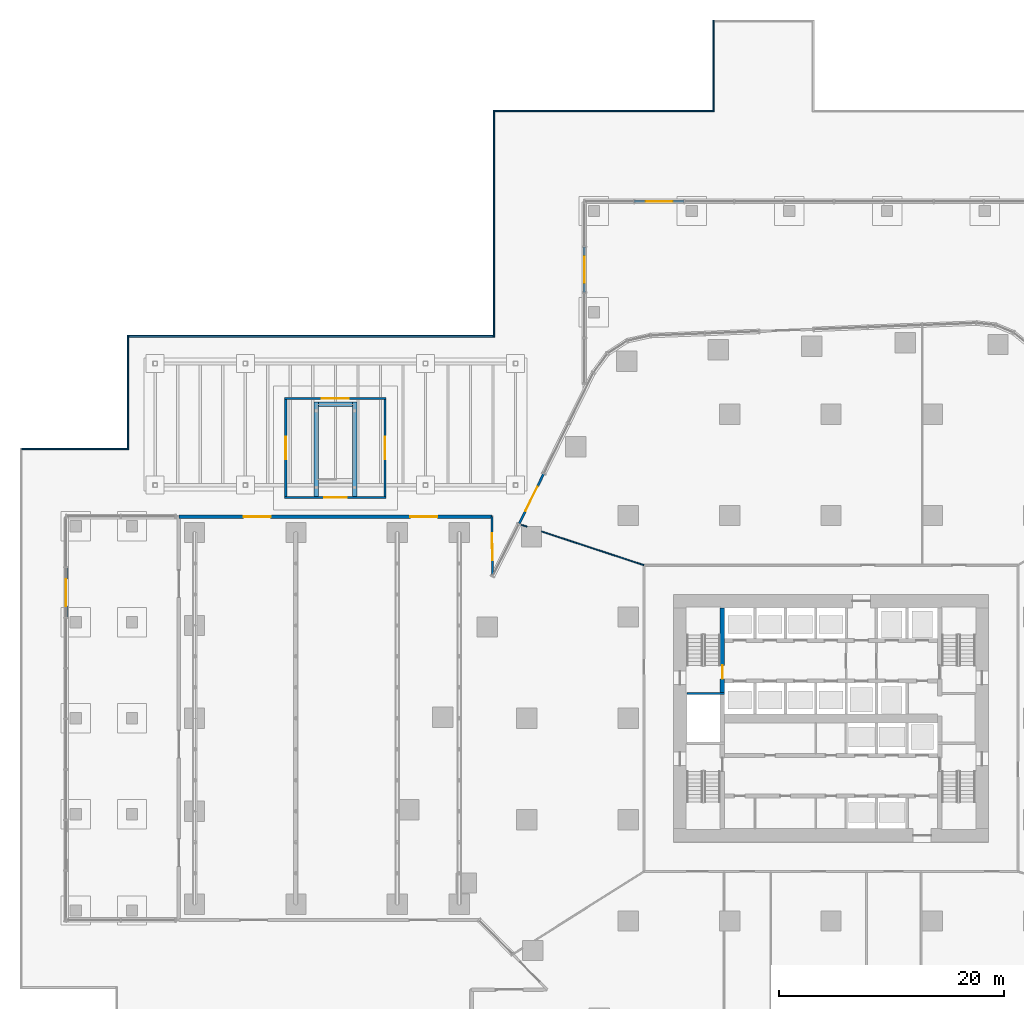
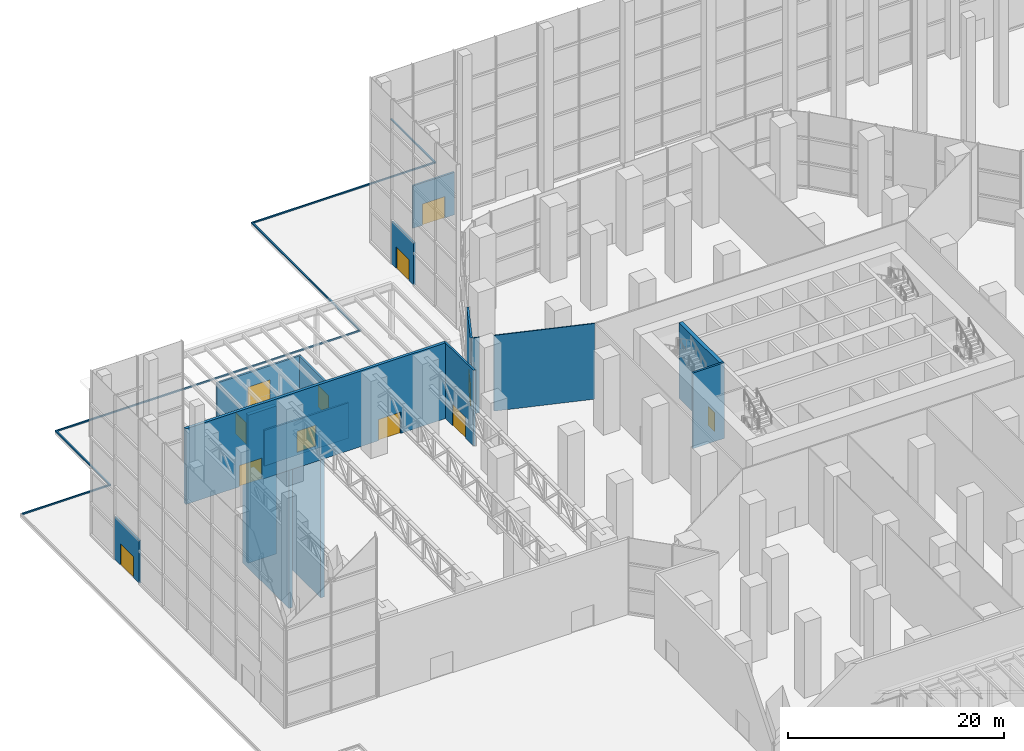
# One storey, part 32 of 40: 23 walls, 9 doors, 3 windows, 12 openings.
"""IFC4 building model written with IfcOpenShell, lengths in metres."""

from ifc_helpers import new_model, si_unit, direction, frame, frame_2d, origin, place, context, subcontext, project, spatial, rectangle, extrude, material, layer, layer_set, type_object, element, fill, save


model = new_model("IFC4")

# Units and contexts
model_context = context("Model", 3, precision=1e-05, world=origin(), true_north=direction((0.0, 1.0)))
body_context = subcontext(model_context, "Body", "Model", "MODEL_VIEW")
ifc_project = project(units=[si_unit("LENGTHUNIT", "METRE"), si_unit("AREAUNIT", "SQUARE_METRE"), si_unit("VOLUMEUNIT", "CUBIC_METRE"), si_unit("PLANEANGLEUNIT", "RADIAN"), si_unit("MASSUNIT", "GRAM", prefix="KILO")], contexts=[model_context])

# Site, building, storey
site_placement = place(None, origin())
site = spatial("IfcSite", under=ifc_project, at=site_placement, CompositionType="ELEMENT")
building_placement = place(site_placement, origin())
building = spatial("IfcBuilding", under=site, at=building_placement, Name="Dongbaek Canopy Tower", CompositionType="ELEMENT")
storey_placement = place(building_placement, origin())
storey = spatial("IfcBuildingStorey", under=building, at=storey_placement, Name="L00", CompositionType="ELEMENT", Elevation=0.0)

# Wall, opening, door
ifc_material_1 = material(Name="Aluminium window wall", Category="aluminium")
ifc_layer_1 = layer(ifc_material_1, 0.199951171875)
ifc_layer_set_1 = layer_set([ifc_layer_1], Name="Entrance wall 200")
wall_type_1 = type_object("IfcWallType", Name="Entrance wall 200", PredefinedType="SOLIDWALL", material=ifc_layer_set_1)
wall_1_placement = place(storey_placement, frame((-27.705078125, 17.242431640625, 0.0), z_axis=(0.0, 0.0, 1.0), x_axis=(0.441360289586, 0.897329980986, 0.0)))
wall_1 = element("IfcWall", 1, at=wall_1_placement, inside=storey, type_object=wall_type_1, Name="Entrance wall L00 F7 3", PredefinedType="SOLIDWALL", context=body_context, shape_type="SweptSolid", body=[
    extrude(rectangle(XDim=4.99658203125, YDim=0.199951171875, at=frame_2d((2.498291015625, 0.0))), origin(), (0.0, 0.0, 1.0), 8.550048828125),
])
opening_1_placement = place(wall_1_placement, frame((1.29833984375, 0.0, 0.0)))
opening_1 = element("IfcOpeningElement", 2, at=opening_1_placement, cuts=wall_1, Name="Opening L00-E05", PredefinedType="OPENING", context=body_context, shape_type="SweptSolid", body=[
    extrude(rectangle(XDim=2.39990234375, YDim=2.39990234375, at=frame_2d((1.199951171875, 1.199951171875))), frame((0.0, 0.10986328125, 0.0), z_axis=(0.0, -1.0, 0.0), x_axis=(1.0, 0.0, 0.0)), (0.0, 0.0, 1.0), 0.219970703125),
])
ifc_material_2 = material(Name="Clear glazing in aluminium frame", Category="aluminium")
door_type_1 = type_object("IfcDoorType", Name="Entrance door ED1 2400 x 2400", OperationType="DOUBLE_DOOR_SINGLE_SWING", PredefinedType="DOOR", material=ifc_material_2)
door_1_placement = place(opening_1_placement, origin())
door_1 = element("IfcDoor", 3, at=door_1_placement, inside=storey, type_object=door_type_1, Name="Exterior door L00-E05", OperationType="SINGLE_SWING_LEFT", OverallHeight=2.39990234375, OverallWidth=2.39990234375, PredefinedType="DOOR", context=body_context, shape_type="SweptSolid", body=[
    extrude(rectangle(XDim=2.39990234375, YDim=2.39990234375, at=frame_2d((1.199951171875, 1.199951171875))), frame((0.0, 0.02490234375, 0.0), z_axis=(0.0, -1.0, 0.0), x_axis=(1.0, 0.0, 0.0)), (0.0, 0.0, 1.0), 0.050048828125),
])
fill(opening_1, door_1)

wall_2_placement = place(storey_placement, frame((-30.10009765625, 17.89990234375, 0.0), z_axis=(0.0, 0.0, 1.0), x_axis=(0.01033393491, -0.999946603469, 0.0)))
wall_2 = element("IfcWall", 4, at=wall_2_placement, inside=storey, type_object=wall_type_1, Name="Entrance wall L00 F8 1", PredefinedType="SOLIDWALL", context=body_context, shape_type="SweptSolid", body=[
    extrude(rectangle(XDim=5.2919921875, YDim=0.199951171875, at=frame_2d((2.64599609375, 0.0))), origin(), (0.0, 0.0, 1.0), 8.550048828125),
])
opening_2_placement = place(wall_2_placement, frame((1.446044921875, 0.0, 0.0)))
opening_2 = element("IfcOpeningElement", 5, at=opening_2_placement, cuts=wall_2, Name="Opening L00-E06", PredefinedType="OPENING", context=body_context, shape_type="SweptSolid", body=[
    extrude(rectangle(XDim=2.39990234375, YDim=2.39990234375, at=frame_2d((1.199951171875, 1.199951171875))), frame((0.0, 0.10986328125, 0.0), z_axis=(0.0, -1.0, 0.0), x_axis=(1.0, 0.0, 0.0)), (0.0, 0.0, 1.0), 0.219970703125),
])
door_2_placement = place(opening_2_placement, origin())
door_2 = element("IfcDoor", 6, at=door_2_placement, inside=storey, type_object=door_type_1, Name="Exterior door L00-E06", OperationType="SINGLE_SWING_LEFT", OverallHeight=2.39990234375, OverallWidth=2.39990234375, PredefinedType="DOOR", context=body_context, shape_type="SweptSolid", body=[
    extrude(rectangle(XDim=2.39990234375, YDim=2.39990234375, at=frame_2d((1.199951171875, 1.199951171875))), frame((0.0, 0.02490234375, 0.0), z_axis=(0.0, -1.0, 0.0), x_axis=(1.0, 0.0, 0.0)), (0.0, 0.0, 1.0), 0.050048828125),
])
fill(opening_2, door_2)

# Wall, opening, window
wall_3_placement = place(storey_placement, frame((-48.5, 19.60009765625, 0.0), z_axis=(0.0, 0.0, 1.0), x_axis=(1.0, 0.0, 0.0)))
wall_3 = element("IfcWall", 7, at=wall_3_placement, inside=storey, type_object=wall_type_1, Name="Metro entrance B S wall", PredefinedType="SOLIDWALL", context=body_context, shape_type="SweptSolid", body=[
    extrude(rectangle(XDim=9.0, YDim=0.199951171875, at=frame_2d((4.5, 0.0))), origin(), (0.0, 0.0, 1.0), 4.0),
])
opening_3_placement = place(wall_3_placement, frame((3.5, 0.0, 0.300048828125)))
opening_3 = element("IfcOpeningElement", 8, at=opening_3_placement, cuts=wall_3, Name="Opening PW1", PredefinedType="OPENING", context=body_context, shape_type="SweptSolid", body=[
    extrude(rectangle(XDim=2.0, YDim=2.39990234375, at=frame_2d((1.0, 1.199951171875))), frame((0.0, 0.10986328125, 0.0), z_axis=(0.0, -1.0, 0.0), x_axis=(1.0, 0.0, 0.0)), (0.0, 0.0, 1.0), 0.219970703125),
])
ifc_material_3 = material(Name="Clear glazing in aluminium frame", Category="aluminium")
window_type = type_object("IfcWindowType", Name="Pavilion window PW1 2000 x 2400", PartitioningType="SINGLE_PANEL", PredefinedType="WINDOW", material=ifc_material_3)
window_1_placement = place(opening_3_placement, origin())
window_1 = element("IfcWindow", 9, at=window_1_placement, inside=storey, type_object=window_type, Name="Metro entrance B window S", OverallHeight=2.39990234375, OverallWidth=2.0, PartitioningType="SINGLE_PANEL", PredefinedType="WINDOW", context=body_context, shape_type="SweptSolid", body=[
    extrude(rectangle(XDim=2.0, YDim=2.39990234375, at=frame_2d((1.0, 1.199951171875))), frame((0.0, 0.030029296875, 0.0), z_axis=(0.0, -1.0, 0.0), x_axis=(1.0, 0.0, 0.0)), (0.0, 0.0, 1.0), 0.06005859375),
])
fill(opening_3, window_1)

# Wall, opening, door
wall_4_placement = place(storey_placement, frame((-48.5, 28.39990234375, 0.0), z_axis=(0.0, 0.0, 1.0), x_axis=(1.0, 0.0, 0.0)))
wall_4 = element("IfcWall", 10, at=wall_4_placement, inside=storey, type_object=wall_type_1, Name="Metro entrance B N wall", PredefinedType="SOLIDWALL", context=body_context, shape_type="SweptSolid", body=[
    extrude(rectangle(XDim=9.0, YDim=0.199951171875, at=frame_2d((4.5, 0.0))), origin(), (0.0, 0.0, 1.0), 4.0),
])
opening_4_placement = place(wall_4_placement, frame((3.300048828125, 0.0, 0.0)))
opening_4 = element("IfcOpeningElement", 11, at=opening_4_placement, cuts=wall_4, Name="Opening L00-M02", PredefinedType="OPENING", context=body_context, shape_type="SweptSolid", body=[
    extrude(rectangle(XDim=2.39990234375, YDim=2.39990234375, at=frame_2d((1.199951171875, 1.199951171875))), frame((0.0, 0.10986328125, 0.0), z_axis=(0.0, -1.0, 0.0), x_axis=(1.0, 0.0, 0.0)), (0.0, 0.0, 1.0), 0.219970703125),
])
door_3_placement = place(opening_4_placement, origin())
door_3 = element("IfcDoor", 12, at=door_3_placement, inside=storey, type_object=door_type_1, Name="Exterior door L00-M02", OperationType="SINGLE_SWING_LEFT", OverallHeight=2.39990234375, OverallWidth=2.39990234375, PredefinedType="DOOR", context=body_context, shape_type="SweptSolid", body=[
    extrude(rectangle(XDim=2.39990234375, YDim=2.39990234375, at=frame_2d((1.199951171875, 1.199951171875))), frame((0.0, 0.02490234375, 0.0), z_axis=(0.0, -1.0, 0.0), x_axis=(1.0, 0.0, 0.0)), (0.0, 0.0, 1.0), 0.050048828125),
])
fill(opening_4, door_3)

# Wall, opening, window
wall_5_placement = place(storey_placement, frame((-48.39990234375, 19.699951171875, 0.0), z_axis=(0.0, 0.0, 1.0), x_axis=(0.0, 1.0, 0.0)))
wall_5 = element("IfcWall", 13, at=wall_5_placement, inside=storey, type_object=wall_type_1, Name="Metro entrance B W wall", PredefinedType="SOLIDWALL", context=body_context, shape_type="SweptSolid", body=[
    extrude(rectangle(XDim=8.60009765625, YDim=0.199951171875, at=frame_2d((4.300048828125, 0.0))), origin(), (0.0, 0.0, 1.0), 4.0),
])
opening_5_placement = place(wall_5_placement, frame((3.300048828125, 0.0, 0.300048828125)))
opening_5 = element("IfcOpeningElement", 14, at=opening_5_placement, cuts=wall_5, Name="Opening PW1", PredefinedType="OPENING", context=body_context, shape_type="SweptSolid", body=[
    extrude(rectangle(XDim=2.0, YDim=2.39990234375, at=frame_2d((1.0, 1.199951171875))), frame((0.0, 0.10986328125, 0.0), z_axis=(0.0, -1.0, 0.0), x_axis=(1.0, 0.0, 0.0)), (0.0, 0.0, 1.0), 0.219970703125),
])
window_2_placement = place(opening_5_placement, origin())
window_2 = element("IfcWindow", 15, at=window_2_placement, inside=storey, type_object=window_type, Name="Metro entrance B window W", OverallHeight=2.39990234375, OverallWidth=2.0, PartitioningType="SINGLE_PANEL", PredefinedType="WINDOW", context=body_context, shape_type="SweptSolid", body=[
    extrude(rectangle(XDim=2.0, YDim=2.39990234375, at=frame_2d((1.0, 1.199951171875))), frame((0.0, 0.030029296875, 0.0), z_axis=(0.0, -1.0, 0.0), x_axis=(1.0, 0.0, 0.0)), (0.0, 0.0, 1.0), 0.06005859375),
])
fill(opening_5, window_2)

wall_6_placement = place(storey_placement, frame((-39.60009765625, 19.699951171875, 0.0), z_axis=(0.0, 0.0, 1.0), x_axis=(0.0, 1.0, 0.0)))
wall_6 = element("IfcWall", 16, at=wall_6_placement, inside=storey, type_object=wall_type_1, Name="Metro entrance B E wall", PredefinedType="SOLIDWALL", context=body_context, shape_type="SweptSolid", body=[
    extrude(rectangle(XDim=8.60009765625, YDim=0.199951171875, at=frame_2d((4.300048828125, 0.0))), origin(), (0.0, 0.0, 1.0), 4.0),
])
opening_6_placement = place(wall_6_placement, frame((3.300048828125, 0.0, 0.300048828125)))
opening_6 = element("IfcOpeningElement", 17, at=opening_6_placement, cuts=wall_6, Name="Opening PW1", PredefinedType="OPENING", context=body_context, shape_type="SweptSolid", body=[
    extrude(rectangle(XDim=2.0, YDim=2.39990234375, at=frame_2d((1.0, 1.199951171875))), frame((0.0, 0.10986328125, 0.0), z_axis=(0.0, -1.0, 0.0), x_axis=(1.0, 0.0, 0.0)), (0.0, 0.0, 1.0), 0.219970703125),
])
window_3_placement = place(opening_6_placement, origin())
window_3 = element("IfcWindow", 18, at=window_3_placement, inside=storey, type_object=window_type, Name="Metro entrance B window E", OverallHeight=2.39990234375, OverallWidth=2.0, PartitioningType="SINGLE_PANEL", PredefinedType="WINDOW", context=body_context, shape_type="SweptSolid", body=[
    extrude(rectangle(XDim=2.0, YDim=2.39990234375, at=frame_2d((1.0, 1.199951171875))), frame((0.0, 0.030029296875, 0.0), z_axis=(0.0, -1.0, 0.0), x_axis=(1.0, 0.0, 0.0)), (0.0, 0.0, 1.0), 0.06005859375),
])
fill(opening_6, window_3)

# Wall, opening, door
wall_7_placement = place(storey_placement, frame((-17.466552734375, 45.89990234375, 0.0), z_axis=(0.0, 0.0, 1.0), x_axis=(1.0, 0.0, 0.0)))
wall_7 = element("IfcWall", 19, at=wall_7_placement, inside=storey, type_object=wall_type_1, Name="Entrance wall L00 NN.17", PredefinedType="SOLIDWALL", context=body_context, shape_type="SweptSolid", body=[
    extrude(rectangle(XDim=4.43310546875, YDim=0.199951171875, at=frame_2d((2.216552734375, 0.0))), origin(), (0.0, 0.0, 1.0), 4.800048828125),
])
opening_7_placement = place(wall_7_placement, frame((1.0166015625, 0.0, 0.0)))
opening_7 = element("IfcOpeningElement", 20, at=opening_7_placement, cuts=wall_7, Name="Opening L00-P06", PredefinedType="OPENING", context=body_context, shape_type="SweptSolid", body=[
    extrude(rectangle(XDim=2.39990234375, YDim=2.39990234375, at=frame_2d((1.199951171875, 1.199951171875))), frame((0.0, 0.10986328125, 0.0), z_axis=(0.0, -1.0, 0.0), x_axis=(1.0, 0.0, 0.0)), (0.0, 0.0, 1.0), 0.219970703125),
])
door_4_placement = place(opening_7_placement, origin())
door_4 = element("IfcDoor", 21, at=door_4_placement, inside=storey, type_object=door_type_1, Name="Station entrance door L00-P06", OperationType="SINGLE_SWING_LEFT", OverallHeight=2.39990234375, OverallWidth=2.39990234375, PredefinedType="DOOR", context=body_context, shape_type="SweptSolid", body=[
    extrude(rectangle(XDim=2.39990234375, YDim=2.39990234375, at=frame_2d((1.199951171875, 1.199951171875))), frame((0.0, 0.02490234375, 0.0), z_axis=(0.0, -1.0, 0.0), x_axis=(1.0, 0.0, 0.0)), (0.0, 0.0, 1.0), 0.050048828125),
])
fill(opening_7, door_4)

wall_8_placement = place(storey_placement, frame((-21.89990234375, 37.8125, 0.0), z_axis=(0.0, 0.0, 1.0), x_axis=(0.0, 1.0, 0.0)))
wall_8 = element("IfcWall", 22, at=wall_8_placement, inside=storey, type_object=wall_type_1, Name="Entrance wall L00 NW.2", PredefinedType="SOLIDWALL", context=body_context, shape_type="SweptSolid", body=[
    extrude(rectangle(XDim=4.043701171875, YDim=0.199951171875, at=frame_2d((2.02197265625, 0.0))), origin(), (0.0, 0.0, 1.0), 4.800048828125),
])
opening_8_placement = place(wall_8_placement, frame((0.82177734375, 0.0, 0.0)))
opening_8 = element("IfcOpeningElement", 23, at=opening_8_placement, cuts=wall_8, Name="Opening L00-P07", PredefinedType="OPENING", context=body_context, shape_type="SweptSolid", body=[
    extrude(rectangle(XDim=2.39990234375, YDim=2.39990234375, at=frame_2d((1.199951171875, 1.199951171875))), frame((0.0, 0.10986328125, 0.0), z_axis=(0.0, -1.0, 0.0), x_axis=(1.0, 0.0, 0.0)), (0.0, 0.0, 1.0), 0.219970703125),
])
door_5_placement = place(opening_8_placement, origin())
door_5 = element("IfcDoor", 24, at=door_5_placement, inside=storey, type_object=door_type_1, Name="Station entrance door L00-P07", OperationType="SINGLE_SWING_LEFT", OverallHeight=2.39990234375, OverallWidth=2.39990234375, PredefinedType="DOOR", context=body_context, shape_type="SweptSolid", body=[
    extrude(rectangle(XDim=2.39990234375, YDim=2.39990234375, at=frame_2d((1.199951171875, 1.199951171875))), frame((0.0, 0.02490234375, 0.0), z_axis=(0.0, -1.0, 0.0), x_axis=(1.0, 0.0, 0.0)), (0.0, 0.0, 1.0), 0.050048828125),
])
fill(opening_8, door_5)

wall_9_placement = place(storey_placement, frame((-67.89990234375, 8.925048828125, 0.0), z_axis=(0.0, 0.0, 1.0), x_axis=(0.0, 1.0, 0.0)))
wall_9 = element("IfcWall", 25, at=wall_9_placement, inside=storey, type_object=wall_type_1, Name="Entrance wall L00 WW.2", PredefinedType="SOLIDWALL", context=body_context, shape_type="SweptSolid", body=[
    extrude(rectangle(XDim=4.487548828125, YDim=0.199951171875, at=frame_2d((2.24365234375, 0.0))), origin(), (0.0, 0.0, 1.0), 4.800048828125),
])
opening_9_placement = place(wall_9_placement, frame((1.043701171875, 0.0, 0.0)))
opening_9 = element("IfcOpeningElement", 26, at=opening_9_placement, cuts=wall_9, Name="Opening L00-P15", PredefinedType="OPENING", context=body_context, shape_type="SweptSolid", body=[
    extrude(rectangle(XDim=2.39990234375, YDim=2.39990234375, at=frame_2d((1.199951171875, 1.199951171875))), frame((0.0, 0.10986328125, 0.0), z_axis=(0.0, -1.0, 0.0), x_axis=(1.0, 0.0, 0.0)), (0.0, 0.0, 1.0), 0.219970703125),
])
door_6_placement = place(opening_9_placement, origin())
door_6 = element("IfcDoor", 27, at=door_6_placement, inside=storey, type_object=door_type_1, Name="Station entrance door L00-P15", OperationType="SINGLE_SWING_LEFT", OverallHeight=2.39990234375, OverallWidth=2.39990234375, PredefinedType="DOOR", context=body_context, shape_type="SweptSolid", body=[
    extrude(rectangle(XDim=2.39990234375, YDim=2.39990234375, at=frame_2d((1.199951171875, 1.199951171875))), frame((0.0, 0.02490234375, 0.0), z_axis=(0.0, -1.0, 0.0), x_axis=(1.0, 0.0, 0.0)), (0.0, 0.0, 1.0), 0.050048828125),
])
fill(opening_9, door_6)

# Wall, openings, doors
ifc_material_4 = material(Name="Precast concrete C40/50 with pale metal cladding", Category="concrete")
ifc_layer_2 = layer(ifc_material_4, 0.300048828125)
ifc_layer_set_2 = layer_set([ifc_layer_2], Name="Hall wall 300")
wall_type_2 = type_object("IfcWallType", Name="Hall wall 300", PredefinedType="SOLIDWALL", material=ifc_layer_set_2)
wall_10_placement = place(storey_placement, frame((-57.89990234375, 17.89990234375, 0.0), z_axis=(0.0, 0.0, 1.0), x_axis=(1.0, 0.0, 0.0)))
wall_10 = element("IfcWall", 28, at=wall_10_placement, inside=storey, type_object=wall_type_2, Name="Hall wall L00 F9", PredefinedType="SOLIDWALL", context=body_context, shape_type="SweptSolid", body=[
    extrude(rectangle(XDim=27.7998046875, YDim=0.300048828125, at=frame_2d((13.89990234375, 0.0))), origin(), (0.0, 0.0, 1.0), 8.550048828125),
])
opening_10_placement = place(wall_10_placement, frame((20.550048828125, 0.0, 0.0)))
opening_10 = element("IfcOpeningElement", 29, at=opening_10_placement, cuts=wall_10, Name="Opening L00-X08", PredefinedType="OPENING", context=body_context, shape_type="SweptSolid", body=[
    extrude(rectangle(XDim=2.39990234375, YDim=2.39990234375, at=frame_2d((1.199951171875, 1.199951171875))), frame((0.0, 0.159912109375, 0.0), z_axis=(0.0, -1.0, 0.0), x_axis=(1.0, 0.0, 0.0)), (0.0, 0.0, 1.0), 0.320068359375),
])
opening_11_placement = place(wall_10_placement, frame((5.75, 0.0, 0.0)))
opening_11 = element("IfcOpeningElement", 30, at=opening_11_placement, cuts=wall_10, Name="Opening L00-X09", PredefinedType="OPENING", context=body_context, shape_type="SweptSolid", body=[
    extrude(rectangle(XDim=2.39990234375, YDim=2.39990234375, at=frame_2d((1.199951171875, 1.199951171875))), frame((0.0, 0.159912109375, 0.0), z_axis=(0.0, -1.0, 0.0), x_axis=(1.0, 0.0, 0.0)), (0.0, 0.0, 1.0), 0.320068359375),
])
door_7_placement = place(opening_10_placement, origin())
door_7 = element("IfcDoor", 31, at=door_7_placement, inside=storey, type_object=door_type_1, Name="Exterior door L00-X08", OperationType="SINGLE_SWING_LEFT", OverallHeight=2.39990234375, OverallWidth=2.39990234375, PredefinedType="DOOR", context=body_context, shape_type="SweptSolid", body=[
    extrude(rectangle(XDim=2.39990234375, YDim=2.39990234375, at=frame_2d((1.199951171875, 1.199951171875))), frame((0.0, 0.02490234375, 0.0), z_axis=(0.0, -1.0, 0.0), x_axis=(1.0, 0.0, 0.0)), (0.0, 0.0, 1.0), 0.050048828125),
])
fill(opening_10, door_7)
door_8_placement = place(opening_11_placement, origin())
door_8 = element("IfcDoor", 32, at=door_8_placement, inside=storey, type_object=door_type_1, Name="Exterior door L00-X09", OperationType="SINGLE_SWING_LEFT", OverallHeight=2.39990234375, OverallWidth=2.39990234375, PredefinedType="DOOR", context=body_context, shape_type="SweptSolid", body=[
    extrude(rectangle(XDim=2.39990234375, YDim=2.39990234375, at=frame_2d((1.199951171875, 1.199951171875))), frame((0.0, 0.02490234375, 0.0), z_axis=(0.0, -1.0, 0.0), x_axis=(1.0, 0.0, 0.0)), (0.0, 0.0, 1.0), 0.050048828125),
])
fill(opening_11, door_8)

# Walls
ifc_material_5 = material(Name="Gypsum board partition, steel stud, 2 x 12.5 mm board", Category="steel")
ifc_layer_3 = layer(ifc_material_5, 0.10009765625)
ifc_layer_set_3 = layer_set([ifc_layer_3], Name="Partition 100 gypsum board")
wall_type_3 = type_object("IfcWallType", Name="Partition 100 gypsum board", PredefinedType="PARTITIONING", material=ifc_layer_set_3)
wall_11_placement = place(storey_placement, frame((-27.6796875, 17.248779296875, 0.0), z_axis=(0.0, 0.0, 1.0), x_axis=(0.949835269284, -0.312750637447, 0.0)))
element("IfcWall", 33, at=wall_11_placement, inside=storey, type_object=wall_type_3, Name="Partition", PredefinedType="PARTITIONING", context=body_context, shape_type="SweptSolid", body=[
    extrude(rectangle(XDim=0.73779296875, YDim=0.10009765625, at=frame_2d((0.368896484375, 0.0))), origin(), (0.0, 0.0, 1.0), 8.550048828125),
])
wall_12_placement = place(storey_placement, frame((-25.68603515625, 16.59228515625, 0.0), z_axis=(0.0, 0.0, 1.0), x_axis=(0.949805309015, -0.312841613228, 0.0)))
element("IfcWall", 34, at=wall_12_placement, inside=storey, type_object=wall_type_3, Name="Partition", PredefinedType="PARTITIONING", context=body_context, shape_type="SweptSolid", body=[
    extrude(rectangle(XDim=9.566162109375, YDim=0.10009765625, at=frame_2d((4.783203125, 0.0))), origin(), (0.0, 0.0, 1.0), 8.550048828125),
])
ifc_material_6 = material(Name="Precast concrete C40/50 kerb", Category="concrete")
ifc_layer_4 = layer(ifc_material_6, 0.14990234375)
ifc_layer_set_4 = layer_set([ifc_layer_4], Name="Plaza kerb 150")
wall_type_4 = type_object("IfcWallType", Name="Plaza kerb 150", PredefinedType="SOLIDWALL", material=ifc_layer_set_4)
wall_13_placement = place(storey_placement, frame((-71.85009765625, 23.925048828125, 0.0), z_axis=(0.0, 0.0, 1.0), x_axis=(1.0, 0.0, 0.0)))
element("IfcWall", 35, at=wall_13_placement, inside=storey, type_object=wall_type_4, Name="Plaza kerb 18", PredefinedType="SOLIDWALL", context=body_context, shape_type="SweptSolid", body=[
    extrude(rectangle(XDim=9.35009765625, YDim=0.14990234375, at=frame_2d((4.675048828125, 0.0))), origin(), (0.0, 0.0, 1.0), 0.14990234375),
])
wall_14_placement = place(storey_placement, frame((-62.425048828125, 23.85009765625, 0.0), z_axis=(0.0, 0.0, 1.0), x_axis=(0.0, 1.0, 0.0)))
element("IfcWall", 36, at=wall_14_placement, inside=storey, type_object=wall_type_4, Name="Plaza kerb 19", PredefinedType="SOLIDWALL", context=body_context, shape_type="SweptSolid", body=[
    extrude(rectangle(XDim=10.14990234375, YDim=0.14990234375, at=frame_2d((5.074951171875, 0.0))), origin(), (0.0, 0.0, 1.0), 0.14990234375),
])
wall_15_placement = place(storey_placement, frame((-62.35009765625, 33.925048828125, 0.0), z_axis=(0.0, 0.0, 1.0), x_axis=(1.0, 0.0, 0.0)))
element("IfcWall", 37, at=wall_15_placement, inside=storey, type_object=wall_type_4, Name="Plaza kerb 20", PredefinedType="SOLIDWALL", context=body_context, shape_type="SweptSolid", body=[
    extrude(rectangle(XDim=32.35009765625, YDim=0.14990234375, at=frame_2d((16.175048828125, 0.0))), origin(), (0.0, 0.0, 1.0), 0.14990234375),
])
wall_16_placement = place(storey_placement, frame((-29.925048828125, 33.85009765625, 0.0), z_axis=(0.0, 0.0, 1.0), x_axis=(0.0, 1.0, 0.0)))
element("IfcWall", 38, at=wall_16_placement, inside=storey, type_object=wall_type_4, Name="Plaza kerb 21", PredefinedType="SOLIDWALL", context=body_context, shape_type="SweptSolid", body=[
    extrude(rectangle(XDim=20.14990234375, YDim=0.14990234375, at=frame_2d((10.074951171875, 0.0))), origin(), (0.0, 0.0, 1.0), 0.14990234375),
])
wall_17_placement = place(storey_placement, frame((-29.85009765625, 53.925048828125, 0.0), z_axis=(0.0, 0.0, 1.0), x_axis=(1.0, 0.0, 0.0)))
element("IfcWall", 39, at=wall_17_placement, inside=storey, type_object=wall_type_4, Name="Plaza kerb 22", PredefinedType="SOLIDWALL", context=body_context, shape_type="SweptSolid", body=[
    extrude(rectangle(XDim=19.35009765625, YDim=0.14990234375, at=frame_2d((9.675048828125, 0.0))), origin(), (0.0, 0.0, 1.0), 0.14990234375),
])
wall_18_placement = place(storey_placement, frame((-10.425048828125, 53.85009765625, 0.0), z_axis=(0.0, 0.0, 1.0), x_axis=(0.0, 1.0, 0.0)))
element("IfcWall", 40, at=wall_18_placement, inside=storey, type_object=wall_type_4, Name="Plaza kerb 24", PredefinedType="SOLIDWALL", context=body_context, shape_type="SweptSolid", body=[
    extrude(rectangle(XDim=8.14990234375, YDim=0.14990234375, at=frame_2d((4.074951171875, 0.0))), origin(), (0.0, 0.0, 1.0), 0.14990234375),
])
ifc_material_7 = material(Name="Concrete C60/75", Category="concrete")
ifc_layer_5 = layer(ifc_material_7, 0.199951171875)
ifc_layer_set_5 = layer_set([ifc_layer_5], Name="Riser wall 200 Concrete C60/75")
wall_type_5 = type_object("IfcWallType", Name="Riser wall 200 Concrete C60/75", PredefinedType="SHEAR", material=ifc_layer_set_5)
wall_19_placement = place(storey_placement, frame((-9.449951171875, 2.199951171875, 0.0), z_axis=(0.0, 0.0, 1.0), x_axis=(-1.0, 0.0, 0.0)))
element("IfcWall", 41, at=wall_19_placement, inside=storey, type_object=wall_type_5, Name="Riser wall", PredefinedType="SHEAR", context=body_context, shape_type="SweptSolid", body=[
    extrude(rectangle(XDim=3.35009765625, YDim=0.199951171875, at=frame_2d((1.675048828125, 0.0))), origin(), (0.0, 0.0, 1.0), 8.550048828125),
])

# Wall, opening, door
ifc_material_8 = material(Name="Concrete C60/75", Category="concrete")
ifc_layer_6 = layer(ifc_material_8, 0.39990234375)
ifc_layer_set_6 = layer_set([ifc_layer_6], Name="Stair wall 400 Concrete C60/75")
wall_type_6 = type_object("IfcWallType", Name="Stair wall 400 Concrete C60/75", PredefinedType="SHEAR", material=ifc_layer_set_6)
wall_20_placement = place(storey_placement, frame((-9.64990234375, 2.300048828125, 0.0), z_axis=(0.0, 0.0, 1.0), x_axis=(0.0, 1.0, 0.0)))
wall_20 = element("IfcWall", 42, at=wall_20_placement, inside=storey, type_object=wall_type_6, Name="Stair wall", PredefinedType="SHEAR", context=body_context, shape_type="SweptSolid", body=[
    extrude(rectangle(XDim=7.5, YDim=0.39990234375, at=frame_2d((3.75, 0.0))), origin(), (0.0, 0.0, 1.0), 8.550048828125),
])
opening_12_placement = place(wall_20_placement, frame((1.199951171875, 0.0, 0.0)))
opening_12 = element("IfcOpeningElement", 43, at=opening_12_placement, cuts=wall_20, Name="Opening L00-D038", PredefinedType="OPENING", context=body_context, shape_type="SweptSolid", body=[
    extrude(rectangle(XDim=1.199951171875, YDim=2.10009765625, at=frame_2d((0.60009765625, 1.050048828125))), frame((0.0, 0.2099609375, 0.0), z_axis=(0.0, -1.0, 0.0), x_axis=(1.0, 0.0, 0.0)), (0.0, 0.0, 1.0), 0.419921875),
])
ifc_material_9 = material(Name="Steel", Category="steel")
door_type_2 = type_object("IfcDoorType", Name="Stair door 1200 x 2100", OperationType="SINGLE_SWING_LEFT", PredefinedType="DOOR", material=ifc_material_9)
door_9_placement = place(opening_12_placement, origin())
door_9 = element("IfcDoor", 44, at=door_9_placement, inside=storey, type_object=door_type_2, Name="Stair C door", OperationType="SINGLE_SWING_RIGHT", OverallHeight=2.10009765625, OverallWidth=1.199951171875, PredefinedType="DOOR", context=body_context, shape_type="SweptSolid", body=[
    extrude(rectangle(XDim=1.199951171875, YDim=2.10009765625, at=frame_2d((0.60009765625, 1.050048828125))), frame((0.0, 0.02490234375, 0.0), z_axis=(0.0, -1.0, 0.0), x_axis=(1.0, 0.0, 0.0)), (0.0, 0.0, 1.0), 0.050048828125),
])
fill(opening_12, door_9)

# Walls
ifc_material_10 = material(Name="Concrete C40/50", Category="concrete")
ifc_layer_7 = layer(ifc_material_10, 0.39990234375)
ifc_layer_set_7 = layer_set([ifc_layer_7], Name="Stair well wall 400")
wall_type_7 = type_object("IfcWallType", Name="Stair well wall 400", PredefinedType="SHEAR", material=ifc_layer_set_7)
for number, where, z_axis, x_axis, name in (
    (45, (-45.699951171875, 19.5, -17.0), (0.0, 0.0, 1.0), (0.0, 1.0, 0.0), "Metro entrance B stair well wall W"),
    (46, (-42.300048828125, 19.5, -17.0), (0.0, 0.0, 1.0), (0.0, 1.0, 0.0), "Metro entrance B stair well wall E"),
):
    element("IfcWall", number, at=place(storey_placement, frame(where, z_axis=z_axis, x_axis=x_axis)), inside=storey, type_object=wall_type_7, Name=name, PredefinedType="SHEAR", context=body_context, shape_type="SweptSolid", body=[
        extrude(rectangle(XDim=8.60009765625, YDim=0.39990234375, at=frame_2d((4.300048828125, 0.0))), origin(), (0.0, 0.0, 1.0), 16.699951171875),
    ])
wall_21_placement = place(storey_placement, frame((-45.5, 27.89990234375, -17.0), z_axis=(0.0, 0.0, 1.0), x_axis=(1.0, 0.0, 0.0)))
element("IfcWall", 47, at=wall_21_placement, inside=storey, type_object=wall_type_7, Name="Metro entrance B stair well wall F", PredefinedType="SHEAR", context=body_context, shape_type="SweptSolid", body=[
    extrude(rectangle(XDim=3.0, YDim=0.39990234375, at=frame_2d((1.5, 0.0))), origin(), (0.0, 0.0, 1.0), 16.699951171875),
])

save(model, "model.ifc")
